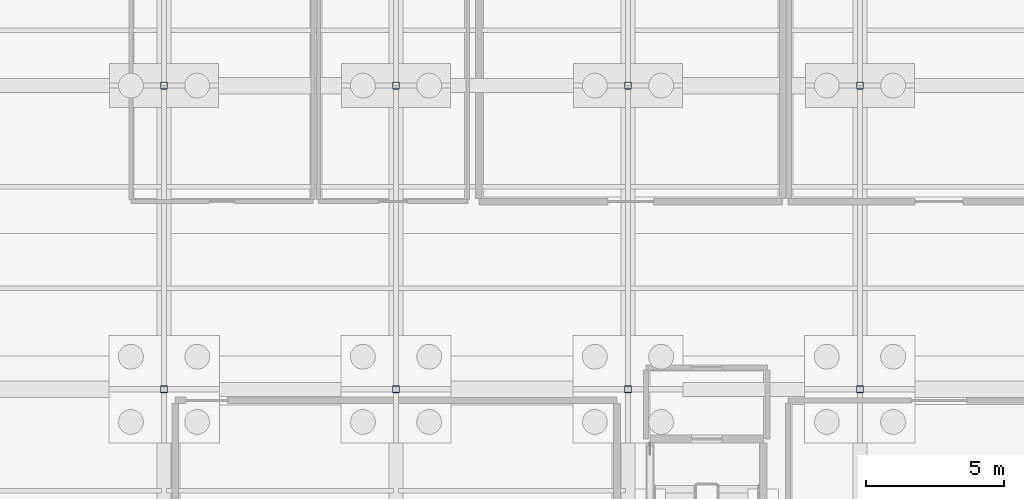
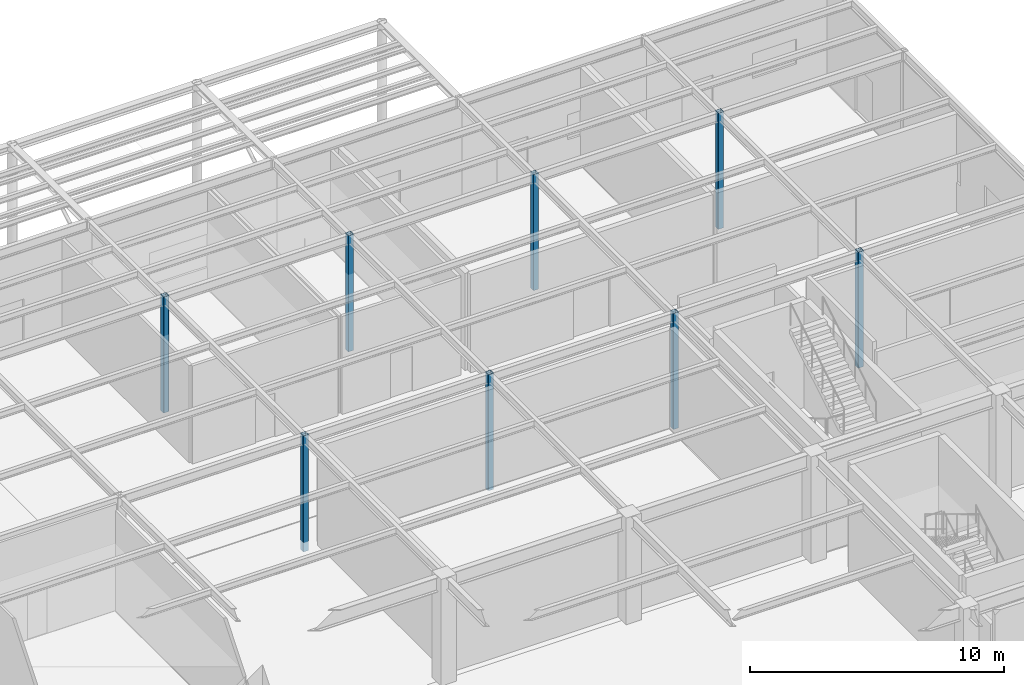
# One storey, part 28 of 129: 8 columns.
"""IFC4 building model written with IfcOpenShell, lengths in metres."""

from ifc_helpers import new_model, si_unit, direction, frame, origin, origin_2d, place, context, subcontext, project, spatial, hollow_rectangle, extrude, material, material_profile, profile_set, type_object, element, save


model = new_model("IFC4")

# Units and contexts
model_context = context("Model", 3, precision=1e-05, world=origin(), true_north=direction((0.0, 1.0)))
body_context = subcontext(model_context, "Body", "Model", "MODEL_VIEW")
ifc_project = project(units=[si_unit("LENGTHUNIT", "METRE"), si_unit("AREAUNIT", "SQUARE_METRE"), si_unit("VOLUMEUNIT", "CUBIC_METRE"), si_unit("PLANEANGLEUNIT", "RADIAN"), si_unit("MASSUNIT", "GRAM", prefix="KILO")], contexts=[model_context])

# Site, building, storey
site_placement = place(None, origin())
site = spatial("IfcSite", under=ifc_project, at=site_placement, CompositionType="ELEMENT")
building_placement = place(site_placement, origin())
building = spatial("IfcBuilding", under=site, at=building_placement, Name="Sitalva Quay Ferry Terminal", CompositionType="ELEMENT")
storey_placement = place(building_placement, origin())
storey = spatial("IfcBuildingStorey", under=building, at=storey_placement, Name="L01", CompositionType="ELEMENT", Elevation=0.0)

# Columns
ifc_material = material(Name="Structural Steel S355JR", Category="steel")
ifc_material_profile = material_profile(ifc_material, hollow_rectangle(XDim=0.25, YDim=0.25, WallThickness=0.012451171875, InnerFilletRadius=0.012451171875, OuterFilletRadius=0.02490234375, at=origin_2d()), Name="SHS250x250x12.5")
ifc_profile_set = profile_set([ifc_material_profile], Name="Structural Steel S355JR")
column_type = type_object("IfcColumnType", Name="Col_SHS250x12", PredefinedType="COLUMN", material=ifc_profile_set)
for number, where, z_axis, x_axis, name in (
    (1, (134.39990234375, 89.0, -0.449951171875), (0.0, 0.0, 1.0), (1.0, 0.0, 0.0), "L01 column 17K"),
    (2, (142.800048828125, 89.0, -0.449951171875), (0.0, 0.0, 1.0), (1.0, 0.0, 0.0), "L01 column 18K"),
    (3, (151.199951171875, 89.0, -0.449951171875), (0.0, 0.0, 1.0), (1.0, 0.0, 0.0), "L01 column 19K"),
    (4, (159.60009765625, 89.0, -0.449951171875), (0.0, 0.0, 1.0), (1.0, 0.0, 0.0), "L01 column 20K"),
    (5, (134.39990234375, 100.0, -0.449951171875), (0.0, 0.0, 1.0), (1.0, 0.0, 0.0), "L01 column 17L"),
    (6, (142.800048828125, 100.0, -0.449951171875), (0.0, 0.0, 1.0), (1.0, 0.0, 0.0), "L01 column 18L"),
    (7, (151.199951171875, 100.0, -0.449951171875), (0.0, 0.0, 1.0), (1.0, 0.0, 0.0), "L01 column 19L"),
    (8, (159.60009765625, 100.0, -0.449951171875), (0.0, 0.0, 1.0), (1.0, 0.0, 0.0), "L01 column 20L"),
):
    element("IfcColumn", number, at=place(storey_placement, frame(where, z_axis=z_axis, x_axis=x_axis)), inside=storey, type_object=column_type, Name=name, PredefinedType="COLUMN", context=body_context, shape_type="SweptSolid", body=[
        extrude(hollow_rectangle(XDim=0.25, YDim=0.25, WallThickness=0.012451171875, InnerFilletRadius=0.012451171875, OuterFilletRadius=0.02490234375, at=origin_2d()), origin(), (0.0, 0.0, 1.0), 5.570068359375),
    ])

save(model, "model.ifc")
